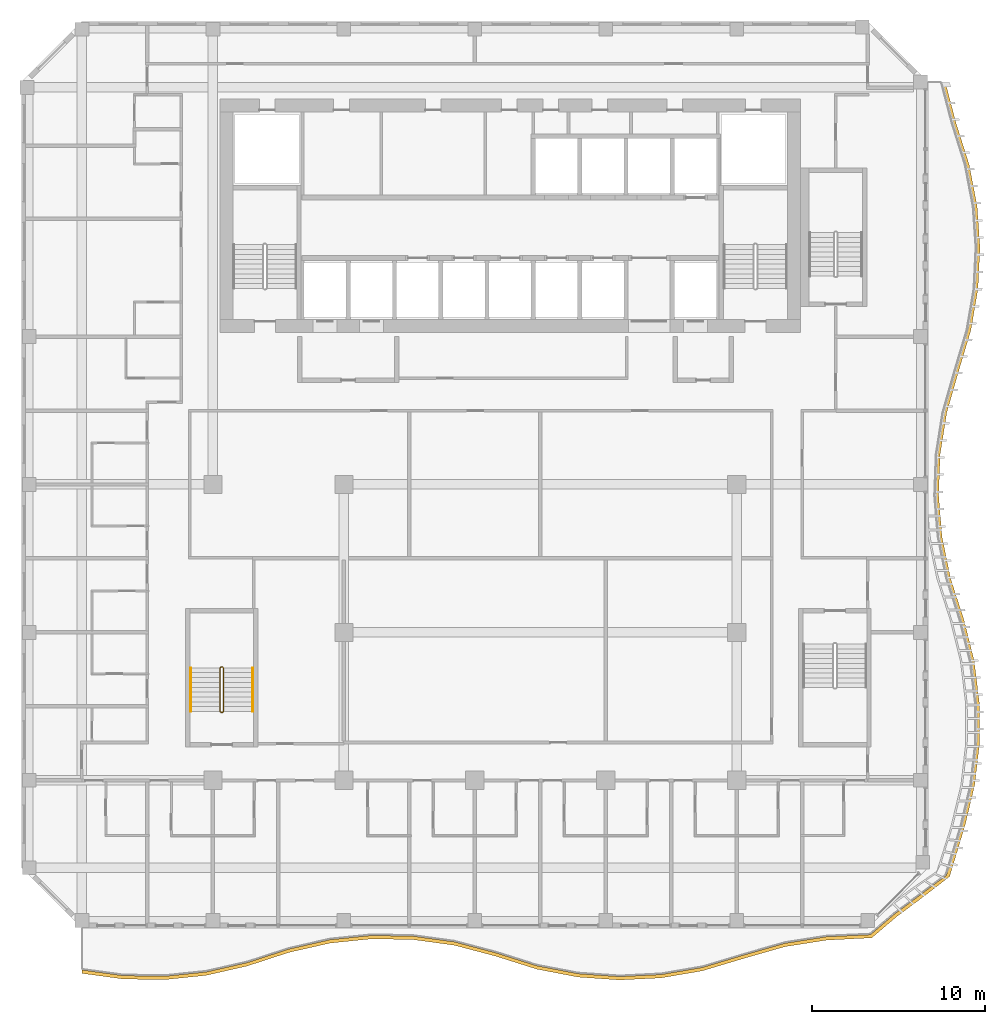
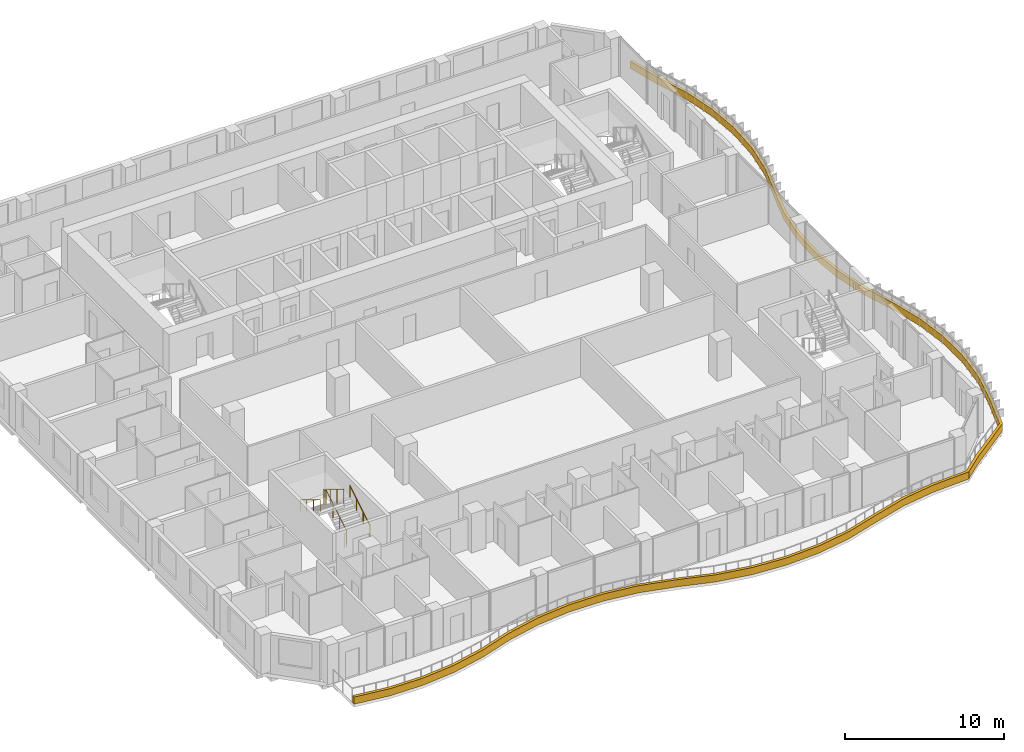
# One storey, part 22 of 24: 3 railings, 1 shading device.
"""IFC4 building model written with IfcOpenShell, lengths in metres."""

from ifc_helpers import new_model, si_unit, direction, frame, origin, origin_2d, place, context, subcontext, project, spatial, polyline, circle, outline, extrude, source, transform, mapped, material, layer, layer_set, type_object, element, save


model = new_model("IFC4")

# Units and contexts
model_context = context("Model", 3, precision=1e-05, world=origin(), true_north=direction((0.0, 1.0)))
body_context = subcontext(model_context, "Body", "Model", "MODEL_VIEW")
ifc_project = project(units=[si_unit("LENGTHUNIT", "METRE"), si_unit("AREAUNIT", "SQUARE_METRE"), si_unit("VOLUMEUNIT", "CUBIC_METRE"), si_unit("PLANEANGLEUNIT", "RADIAN"), si_unit("MASSUNIT", "GRAM", prefix="KILO")], contexts=[model_context])

# Site, building, storey
site_placement = place(None, origin())
site = spatial("IfcSite", under=ifc_project, at=site_placement, CompositionType="ELEMENT")
building_placement = place(site_placement, origin())
building = spatial("IfcBuilding", under=site, at=building_placement, Name="Kilnfold Tower and Market Hall", CompositionType="ELEMENT")
storey_placement = place(building_placement, frame((0.0, 0.0, 192.300048828125)))
storey = spatial("IfcBuildingStorey", under=building, at=storey_placement, Name="L46", CompositionType="ELEMENT", Elevation=192.300048828125)

# Railings
ifc_material_1 = material(Name="Stainless steel 316", Category="steel")
railing_type_1 = type_object("IfcRailingType", Name="CORE STAIR GUARD 1100", PredefinedType="GUARDRAIL", material=ifc_material_1)
railing_1_placement = place(storey_placement, frame((-15.699951171875, -13.75, 0.0)))
element("IfcRailing", 1, at=railing_1_placement, inside=storey, type_object=railing_type_1, Name="L46 ST3 stair guard 1", PredefinedType="GUARDRAIL", context=body_context, shape_type="SweptSolid", body=[
    extrude(circle(Radius=0.02392578125, at=origin_2d()), frame((0.0, 0.0, 1.076171875), z_axis=(1.0, 0.0, 0.0), x_axis=(0.0, 1.0, 0.0)), (0.0, 0.0, 1.0), 0.099853515625),
    extrude(circle(Radius=0.02392578125, at=origin_2d()), frame((0.099853515625, 0.0, 1.076171875), z_axis=(0.271895245746, 0.271895245746, 0.923117517265), x_axis=(-0.707106781187, 0.707106781187, 0.0)), (0.0, 0.0, 1.0), 0.18408203125),
    extrude(circle(Radius=0.02392578125, at=origin_2d()), frame((0.14990234375, 0.050048828125, 1.24609375), z_axis=(0.0, 0.85478489116, 0.518982456201), x_axis=(-1.0, 0.0, 0.0)), (0.0, 0.0, 1.0), 2.9482421875),
    extrude(circle(Radius=0.02392578125, at=origin_2d()), frame((0.14990234375, 2.570068359375, 2.77587890625), z_axis=(-0.707106781187, 0.707106781187, 0.0), x_axis=(-0.707106781187, -0.707106781187, 0.0)), (0.0, 0.0, 1.0), 0.07080078125),
    extrude(circle(Radius=0.02392578125, at=origin_2d()), frame((0.099853515625, 2.6201171875, 2.77587890625), z_axis=(-1.0, 0.0, 0.0), x_axis=(0.0, -1.0, 0.0)), (0.0, 0.0, 1.0), 0.099853515625),
    extrude(circle(Radius=0.02392578125, at=origin_2d()), frame((0.0, 2.6201171875, 2.77587890625), z_axis=(-0.271895245746, -0.271895245746, 0.923117517265), x_axis=(0.707106781187, -0.707106781187, 0.0)), (0.0, 0.0, 1.0), 0.18408203125),
    extrude(circle(Radius=0.02392578125, at=origin_2d()), frame((-0.050048828125, 2.570068359375, 2.94580078125), z_axis=(0.0, -0.85478489116, 0.518982456201), x_axis=(1.0, 0.0, 0.0)), (0.0, 0.0, 1.0), 2.9482421875),
    extrude(circle(Radius=0.02099609375, at=origin_2d()), origin(), (0.0, 0.0, 1.0), 1.052001953125),
    extrude(circle(Radius=0.02099609375, at=origin_2d()), frame((0.099853515625, 0.0, 0.0)), (0.0, 0.0, 1.0), 1.052001953125),
    extrude(circle(Radius=0.02099609375, at=origin_2d()), frame((0.14990234375, 0.050048828125, 0.169921875)), (0.0, 0.0, 1.0), 1.052001953125),
    extrude(circle(Radius=0.02099609375, at=origin_2d()), frame((0.14990234375, 0.89013671875, 0.679931640625)), (0.0, 0.0, 1.0), 1.052001953125),
    extrude(circle(Radius=0.02099609375, at=origin_2d()), frame((0.14990234375, 1.72998046875, 1.18994140625)), (0.0, 0.0, 1.0), 1.052001953125),
    extrude(circle(Radius=0.02099609375, at=origin_2d()), frame((0.14990234375, 2.570068359375, 1.699951171875)), (0.0, 0.0, 1.0), 1.052001953125),
    extrude(circle(Radius=0.02099609375, at=origin_2d()), frame((0.099853515625, 2.6201171875, 1.699951171875)), (0.0, 0.0, 1.0), 1.052001953125),
    extrude(circle(Radius=0.02099609375, at=origin_2d()), frame((0.0, 2.6201171875, 1.699951171875)), (0.0, 0.0, 1.0), 1.052001953125),
    extrude(circle(Radius=0.02099609375, at=origin_2d()), frame((-0.050048828125, 2.570068359375, 1.869873046875)), (0.0, 0.0, 1.0), 1.052001953125),
    extrude(circle(Radius=0.02099609375, at=origin_2d()), frame((-0.050048828125, 1.72998046875, 2.3798828125)), (0.0, 0.0, 1.0), 1.052001953125),
    extrude(circle(Radius=0.02099609375, at=origin_2d()), frame((-0.050048828125, 0.89013671875, 2.889892578125)), (0.0, 0.0, 1.0), 1.052001953125),
    extrude(circle(Radius=0.02099609375, at=origin_2d()), frame((-0.050048828125, 0.050048828125, 3.39990234375)), (0.0, 0.0, 1.0), 1.052001953125),
])
ifc_material_2 = material(Name="Stainless steel 316", Category="steel")
railing_type_2 = type_object("IfcRailingType", Name="CORE STAIR HANDRAIL 900", PredefinedType="HANDRAIL", material=ifc_material_2)
railing_2_placement = place(storey_placement, frame((-13.85009765625, -13.699951171875, 0.169921875)))
element("IfcRailing", 2, at=railing_2_placement, inside=storey, type_object=railing_type_2, Name="L46 ST3 stair handrail 1", PredefinedType="HANDRAIL", context=body_context, shape_type="SweptSolid", body=[
    extrude(circle(Radius=0.02392578125, at=origin_2d()), frame((0.0, 0.0, 0.8759765625), z_axis=(0.0, 0.85478489116, 0.518982456201), x_axis=(-1.0, 0.0, 0.0)), (0.0, 0.0, 1.0), 2.9482421875),
    extrude(circle(Radius=0.02099609375, at=origin_2d()), origin(), (0.0, 0.0, 1.0), 0.851806640625),
    extrude(circle(Radius=0.02099609375, at=origin_2d()), frame((0.0, 0.840087890625, 0.510009765625)), (0.0, 0.0, 1.0), 0.851806640625),
    extrude(circle(Radius=0.02099609375, at=origin_2d()), frame((0.0, 1.679931640625, 1.02001953125)), (0.0, 0.0, 1.0), 0.851806640625),
    extrude(circle(Radius=0.02099609375, at=origin_2d()), frame((0.0, 2.52001953125, 1.530029296875)), (0.0, 0.0, 1.0), 0.851806640625),
])
railing_3_placement = place(storey_placement, frame((-17.449951171875, -11.179931640625, 1.869873046875)))
element("IfcRailing", 3, at=railing_3_placement, inside=storey, type_object=railing_type_2, Name="L46 ST3 stair handrail 2", PredefinedType="HANDRAIL", context=body_context, shape_type="SweptSolid", body=[
    extrude(circle(Radius=0.02392578125, at=origin_2d()), frame((0.0, 0.0, 0.8759765625), z_axis=(0.0, -0.85478489116, 0.518982456201), x_axis=(1.0, 0.0, 0.0)), (0.0, 0.0, 1.0), 2.9482421875),
    extrude(circle(Radius=0.02099609375, at=origin_2d()), origin(), (0.0, 0.0, 1.0), 0.851806640625),
    extrude(circle(Radius=0.02099609375, at=origin_2d()), frame((0.0, -0.840087890625, 0.510009765625)), (0.0, 0.0, 1.0), 0.851806640625),
    extrude(circle(Radius=0.02099609375, at=origin_2d()), frame((0.0, -1.679931640625, 1.02001953125)), (0.0, 0.0, 1.0), 0.851806640625),
    extrude(circle(Radius=0.02099609375, at=origin_2d()), frame((0.0, -2.52001953125, 1.530029296875)), (0.0, 0.0, 1.0), 0.851806640625),
])

# Shading device
ifc_material_3 = material(Name="Precast concrete C50/60", Category="concrete")
ifc_layer = layer(ifc_material_3, 0.550048828125)
ifc_layer_set = layer_set([ifc_layer], Name="Precast concrete C50/60")
shading_device_type = type_object("IfcShadingDeviceType", Name="BALCONY UPSTAND 550", PredefinedType="USERDEFINED", material=ifc_layer_set)
shared_shape = source(origin(), body_context, "Body", "SweptSolid", [
    extrude(outline(polyline([(-23.75, -28.8662109375), (-21.355224609375, -29.1923828125), (-18.96044921875, -29.231201171875), (-16.56591796875, -28.9833984375), (-14.171142578125, -28.43896484375), (-11.7763671875, -27.657470703125), (-9.381591796875, -27.114501953125), (-6.98681640625, -26.868408203125), (-4.592041015625, -26.908447265625), (-2.197509765625, -27.236328125), (0.197509765625, -27.866943359375), (2.592041015625, -28.623291015625), (4.98681640625, -29.08251953125), (7.381591796875, -29.2490234375), (9.7763671875, -29.130126953125), (12.171142578125, -28.720703125), (14.56591796875, -28.0029296875), (16.96044921875, -27.319580078125), (19.355224609375, -26.94287109375), (21.981689453125, -26.80908203125), (23.41943359375, -25.5859375), (24.7578125, -24.59130859375), (26.487548828125, -23.2626953125), (27.367919921875, -20.355224609375), (27.943115234375, -17.96044921875), (28.219482421875, -15.56591796875), (28.208984375, -13.171142578125), (27.91162109375, -10.7763671875), (27.31396484375, -8.381591796875), (26.542236328125, -5.98681640625), (26.051513671875, -3.592041015625), (25.85498046875, -1.197509765625), (25.944091796875, 1.197509765625), (26.322509765625, 3.592041015625), (27.007568359375, 5.98681640625), (27.7236328125, 8.381591796875), (28.131591796875, 10.7763671875), (28.248779296875, 13.171142578125), (28.080810546875, 15.56591796875), (27.6201171875, 17.96044921875), (26.86279296875, 20.355224609375), (26.23388671875, 22.75), (26.03369140625, 22.75), (26.66259765625, 20.355224609375), (27.420166015625, 17.96044921875), (27.880859375, 15.56591796875), (28.048828125, 13.171142578125), (27.931396484375, 10.7763671875), (27.523681640625, 8.381591796875), (26.8076171875, 5.98681640625), (26.122314453125, 3.592041015625), (25.743896484375, 1.197509765625), (25.655029296875, -1.197509765625), (25.8515625, -3.592041015625), (26.34228515625, -5.98681640625), (27.114013671875, -8.381591796875), (27.711669921875, -10.7763671875), (28.009033203125, -13.171142578125), (28.019287109375, -15.56591796875), (27.7431640625, -17.96044921875), (27.167724609375, -20.355224609375), (26.302734375, -23.18603515625), (24.616455078125, -24.44970703125), (23.278076171875, -25.444580078125), (21.905029296875, -26.62451171875), (19.355224609375, -26.742919921875), (16.96044921875, -27.11962890625), (14.56591796875, -27.802978515625), (12.171142578125, -28.520751953125), (9.7763671875, -28.93017578125), (7.381591796875, -29.049072265625), (4.98681640625, -28.882568359375), (2.592041015625, -28.42333984375), (0.197509765625, -27.6669921875), (-2.197509765625, -27.036376953125), (-4.592041015625, -26.70849609375), (-6.98681640625, -26.66845703125), (-9.381591796875, -26.914306640625), (-11.7763671875, -27.45751953125), (-14.171142578125, -28.239013671875), (-16.56591796875, -28.783447265625), (-18.96044921875, -29.031005859375), (-21.355224609375, -28.992431640625), (-23.75, -28.666259765625), (-23.75, -28.8662109375)])), origin(), (0.0, 0.0, 1.0), 0.550048828125),
])
shading_device_placement = place(storey_placement, origin())
element("IfcShadingDevice", 4, at=shading_device_placement, inside=storey, type_object=shading_device_type, Name="Balcony fascia L46", ObjectType="FASCIA", PredefinedType="USERDEFINED", context=body_context, shape_type="MappedRepresentation", body=[
    mapped(shared_shape, transform((0.0, 0.0, 0.0))),
])

save(model, "model.ifc")
